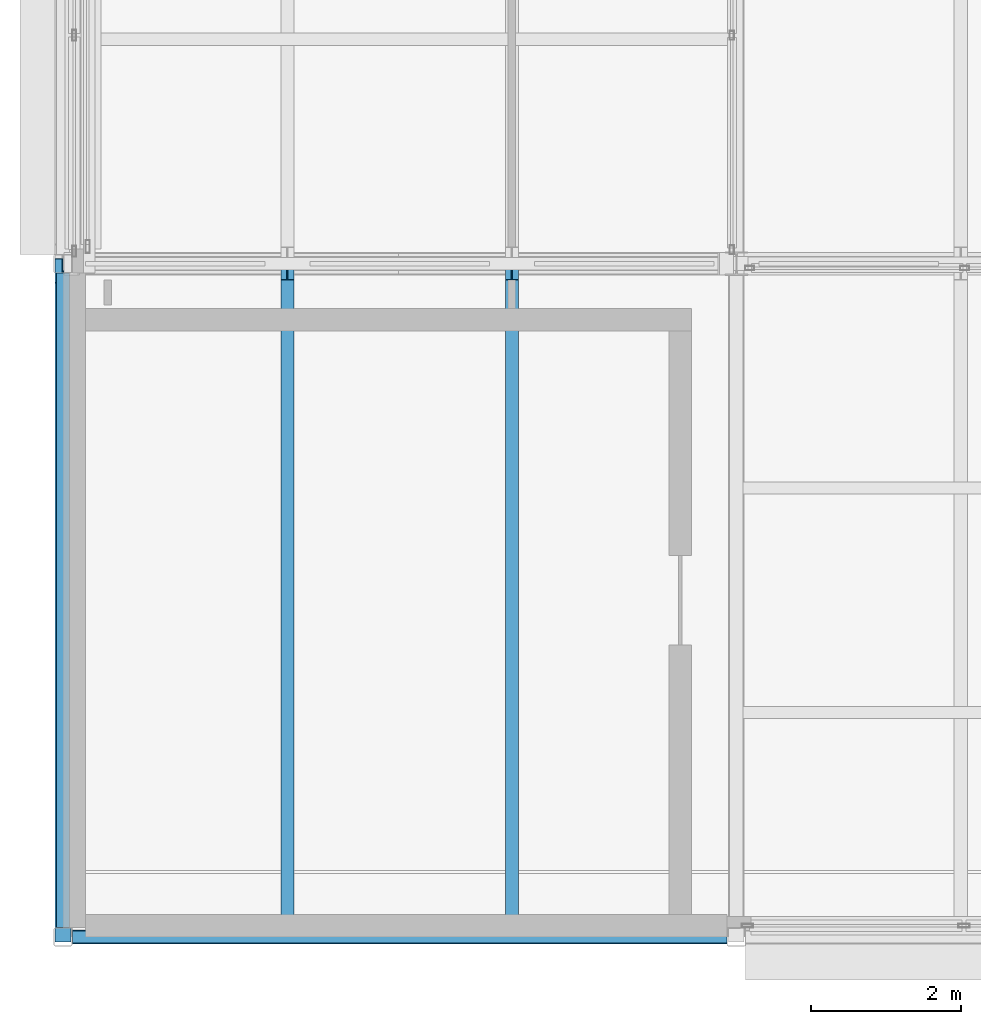
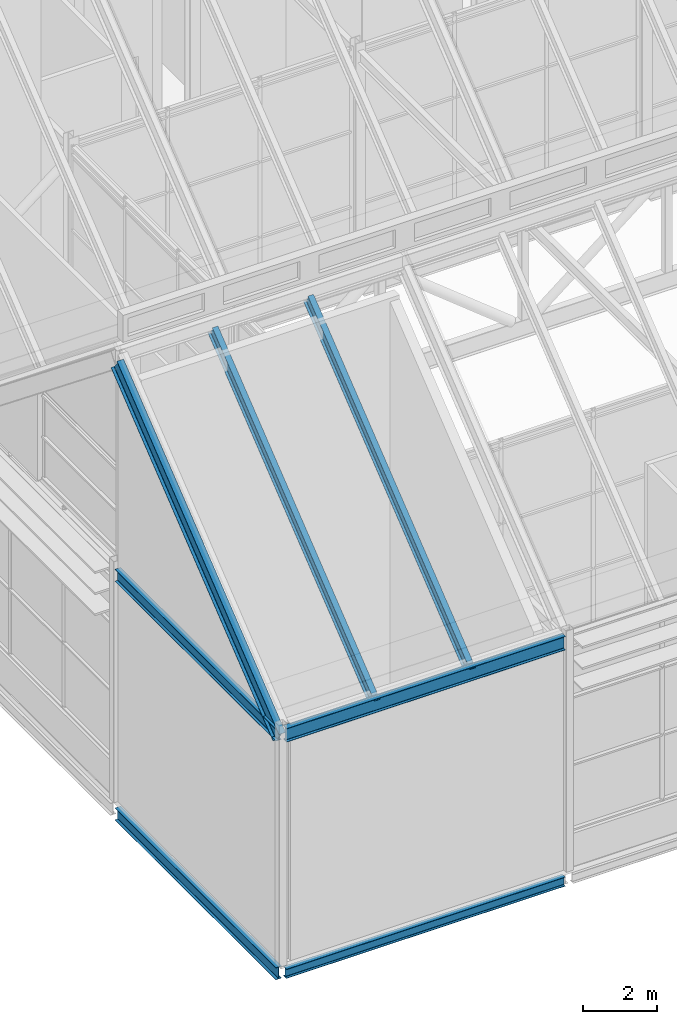
# One storey, part 9 of 144: 4 beams, 3 members.
"""IFC4 building model written with IfcOpenShell, lengths in metres."""

from ifc_helpers import new_model, si_unit, direction, frame, origin, origin_2d, place, context, subcontext, project, spatial, i_section, extrude, material, material_profile, profile_set, type_object, element, save


model = new_model("IFC4")

# Units and contexts
model_context = context("Model", 3, precision=1e-05, world=origin(), true_north=direction((0.0, 1.0)))
body_context = subcontext(model_context, "Body", "Model", "MODEL_VIEW")
ifc_project = project(units=[si_unit("LENGTHUNIT", "METRE"), si_unit("AREAUNIT", "SQUARE_METRE"), si_unit("VOLUMEUNIT", "CUBIC_METRE"), si_unit("PLANEANGLEUNIT", "RADIAN"), si_unit("MASSUNIT", "GRAM", prefix="KILO")], contexts=[model_context])

# Site, building, storey
site_placement = place(None, origin())
site = spatial("IfcSite", under=ifc_project, at=site_placement, CompositionType="ELEMENT")
building_placement = place(site_placement, origin())
building = spatial("IfcBuilding", under=site, at=building_placement, Name="Shorebreak Coast Museum", CompositionType="ELEMENT")
storey_placement = place(building_placement, frame((0.0, 0.0, 36.0)))
storey = spatial("IfcBuildingStorey", under=building, at=storey_placement, Name="L06", CompositionType="ELEMENT", Elevation=36.0)

# Beams
ifc_material_1 = material(Name="Steel Grade 300", Category="steel")
ifc_material_profile_1 = material_profile(ifc_material_1, i_section(OverallWidth=0.166015625, OverallDepth=0.30712890625, WebThickness=0.006591796875, FlangeThickness=0.01171875, FilletRadius=0.011474609375, at=origin_2d()), Name="310UB46.2")
ifc_profile_set_1 = profile_set([ifc_material_profile_1], Name="Steel Grade 300")
beam_type_1 = type_object("IfcBeamType", Name="Floor girder east-west 310UB46.2", PredefinedType="BEAM", material=ifc_profile_set_1)
beam_1_placement = place(storey_placement, frame((54.125, 54.0, -0.32861328125), z_axis=(1.0, 0.0, 0.0), x_axis=(0.0, 1.0, 0.0)))
element("IfcBeam", 1, at=beam_1_placement, inside=storey, type_object=beam_type_1, Name="Floor girder east-west L06 7G", PredefinedType="BEAM", context=body_context, shape_type="SweptSolid", body=[
    extrude(i_section(OverallWidth=0.166015625, OverallDepth=0.30712890625, WebThickness=0.006591796875, FlangeThickness=0.01171875, FilletRadius=0.011474609375, at=origin_2d()), origin(), (0.0, 0.0, 1.0), 8.75),
])
ifc_material_2 = material(Name="Steel Grade 300", Category="steel")
ifc_material_profile_2 = material_profile(ifc_material_2, i_section(OverallWidth=0.177978515625, OverallDepth=0.406494140625, WebThickness=0.0078125, FlangeThickness=0.0126953125, FilletRadius=0.011474609375, at=origin_2d()), Name="410UB59.7")
ifc_profile_set_2 = profile_set([ifc_material_profile_2], Name="Steel Grade 300")
beam_type_2 = type_object("IfcBeamType", Name="Floor girder north-south 410UB59.7", PredefinedType="BEAM", material=ifc_profile_set_2)
beam_2_placement = place(storey_placement, frame((54.0, 54.125, -0.378173828125), z_axis=(0.0, 1.0, 0.0), x_axis=(-1.0, 0.0, 0.0)))
element("IfcBeam", 2, at=beam_2_placement, inside=storey, type_object=beam_type_2, Name="Floor girder north-south L06 7G", PredefinedType="BEAM", context=body_context, shape_type="SweptSolid", body=[
    extrude(i_section(OverallWidth=0.177978515625, OverallDepth=0.406494140625, WebThickness=0.0078125, FlangeThickness=0.0126953125, FilletRadius=0.011474609375, at=origin_2d()), origin(), (0.0, 0.0, 1.0), 8.75),
])

# Members
ifc_material_3 = material(Name="Steel Grade 300", Category="steel")
ifc_material_profile_3 = material_profile(ifc_material_3, i_section(OverallWidth=0.177978515625, OverallDepth=0.402587890625, WebThickness=0.007568359375, FlangeThickness=0.010986328125, FilletRadius=0.011474609375, at=origin_2d()), Name="410UB53.7")
ifc_profile_set_3 = profile_set([ifc_material_profile_3], Name="Steel Grade 300")
member_type_1 = type_object("IfcMemberType", Name="Fold rafter 410UB53.7", PredefinedType="RAFTER", material=ifc_profile_set_3)
for number, where, z_axis, x_axis, name in (
    (3, (57.0, 62.905029296875, 14.610107421875), (0.0, -0.780866698312, -0.624697686459), (1.0, 0.0, 0.0), "Fold rafter FOLD-X line 1 02"),
    (4, (60.0, 62.905029296875, 14.610107421875), (0.0, -0.780866698312, -0.624697686459), (1.0, 0.0, 0.0), "Fold rafter FOLD-X line 1 03"),
):
    element("IfcMember", number, at=place(storey_placement, frame(where, z_axis=z_axis, x_axis=x_axis)), inside=storey, type_object=member_type_1, Name=name, PredefinedType="RAFTER", context=body_context, shape_type="SweptSolid", body=[
        extrude(i_section(OverallWidth=0.177978515625, OverallDepth=0.402587890625, WebThickness=0.007568359375, FlangeThickness=0.010986328125, FilletRadius=0.011474609375, at=origin_2d()), origin(), (0.0, 0.0, 1.0), 11.282470703125),
    ])
ifc_material_4 = material(Name="Steel Grade 300", Category="steel")
ifc_material_profile_4 = material_profile(ifc_material_4, i_section(OverallWidth=0.208984375, OverallDepth=0.5283203125, WebThickness=0.009521484375, FlangeThickness=0.01318359375, FilletRadius=0.013916015625, at=origin_2d()), Name="530UB82.0")
ifc_profile_set_4 = profile_set([ifc_material_profile_4], Name="Steel Grade 300")
member_type_2 = type_object("IfcMemberType", Name="Fold rib rafter 530UB82.0", PredefinedType="RAFTER", material=ifc_profile_set_4)
member_placement = place(storey_placement, frame((54.0, 62.905029296875, 14.52978515625), z_axis=(0.0, -0.780866698312, -0.624697686459), x_axis=(1.0, 0.0, 0.0)))
element("IfcMember", 5, at=member_placement, inside=storey, type_object=member_type_2, Name="Fold rib rafter FOLD-X line 1 01", PredefinedType="RAFTER", context=body_context, shape_type="SweptSolid", body=[
    extrude(i_section(OverallWidth=0.208984375, OverallDepth=0.5283203125, WebThickness=0.009521484375, FlangeThickness=0.01318359375, FilletRadius=0.013916015625, at=origin_2d()), origin(), (0.0, 0.0, 1.0), 11.282470703125),
])

# Beams
ifc_material_5 = material(Name="Steel Grade 300", Category="steel")
ifc_material_profile_5 = material_profile(ifc_material_5, i_section(OverallWidth=0.177978515625, OverallDepth=0.402587890625, WebThickness=0.007568359375, FlangeThickness=0.010986328125, FilletRadius=0.011474609375, at=origin_2d()), Name="410UB53.7")
ifc_profile_set_5 = profile_set([ifc_material_profile_5], Name="Steel Grade 300")
beam_type_3 = type_object("IfcBeamType", Name="Fold rib tie 410UB53.7", PredefinedType="BEAM", material=ifc_profile_set_5)
beam_3_placement = place(storey_placement, frame((54.0, 54.125, 7.54248046875), z_axis=(0.0, 1.0, 0.0), x_axis=(-1.0, 0.0, 0.0)))
element("IfcBeam", 6, at=beam_3_placement, inside=storey, type_object=beam_type_3, Name="Fold rib tie FOLD-X rib 7 G-H", PredefinedType="BEAM", context=body_context, shape_type="SweptSolid", body=[
    extrude(i_section(OverallWidth=0.177978515625, OverallDepth=0.402587890625, WebThickness=0.007568359375, FlangeThickness=0.010986328125, FilletRadius=0.011474609375, at=origin_2d()), origin(), (0.0, 0.0, 1.0), 8.75),
])
ifc_material_6 = material(Name="Steel Grade 300", Category="steel")
ifc_material_profile_6 = material_profile(ifc_material_6, i_section(OverallWidth=0.18994140625, OverallDepth=0.453857421875, WebThickness=0.008544921875, FlangeThickness=0.0126953125, FilletRadius=0.011474609375, at=origin_2d()), Name="460UB67.1")
ifc_profile_set_6 = profile_set([ifc_material_profile_6], Name="Steel Grade 300")
beam_type_4 = type_object("IfcBeamType", Name="Fold valley girder 460UB67.1", PredefinedType="BEAM", material=ifc_profile_set_6)
beam_4_placement = place(storey_placement, frame((54.125, 54.0, 7.593017578125), z_axis=(1.0, 0.0, 0.0), x_axis=(0.0, 1.0, 0.0)))
element("IfcBeam", 7, at=beam_4_placement, inside=storey, type_object=beam_type_4, Name="Fold valley girder FOLD-X line G bay 7G", PredefinedType="BEAM", context=body_context, shape_type="SweptSolid", body=[
    extrude(i_section(OverallWidth=0.18994140625, OverallDepth=0.453857421875, WebThickness=0.008544921875, FlangeThickness=0.0126953125, FilletRadius=0.011474609375, at=origin_2d()), origin(), (0.0, 0.0, 1.0), 8.75),
])

save(model, "model.ifc")
